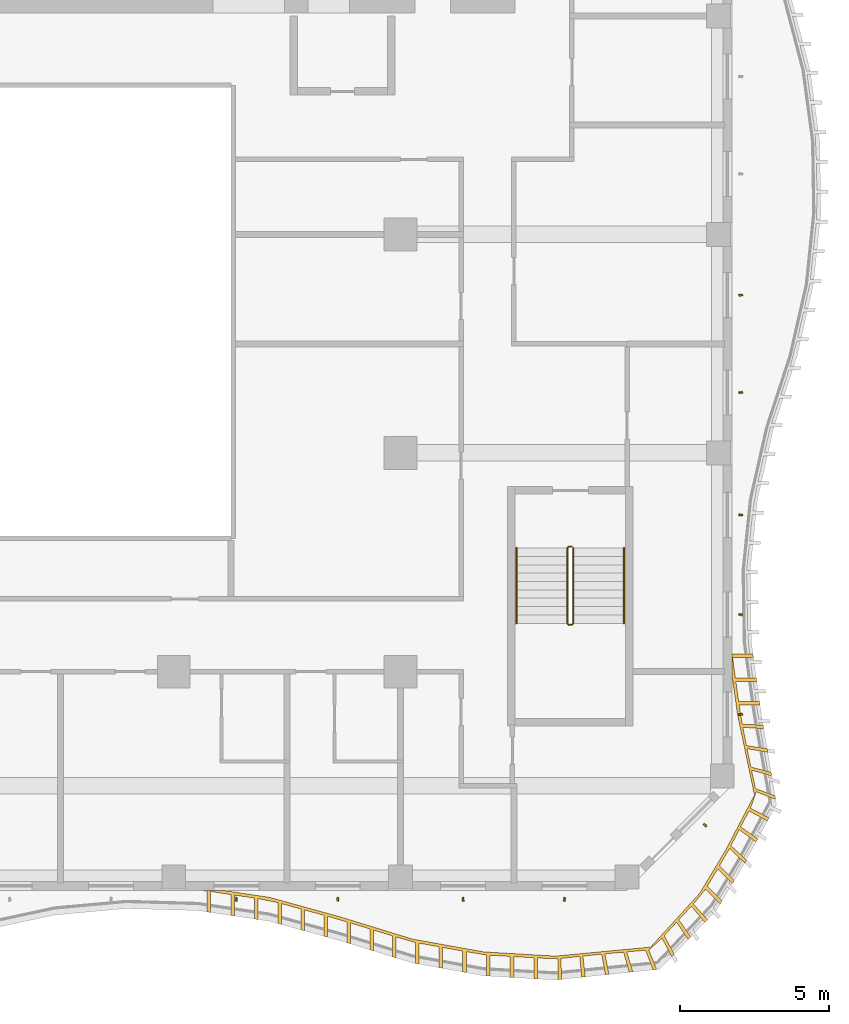
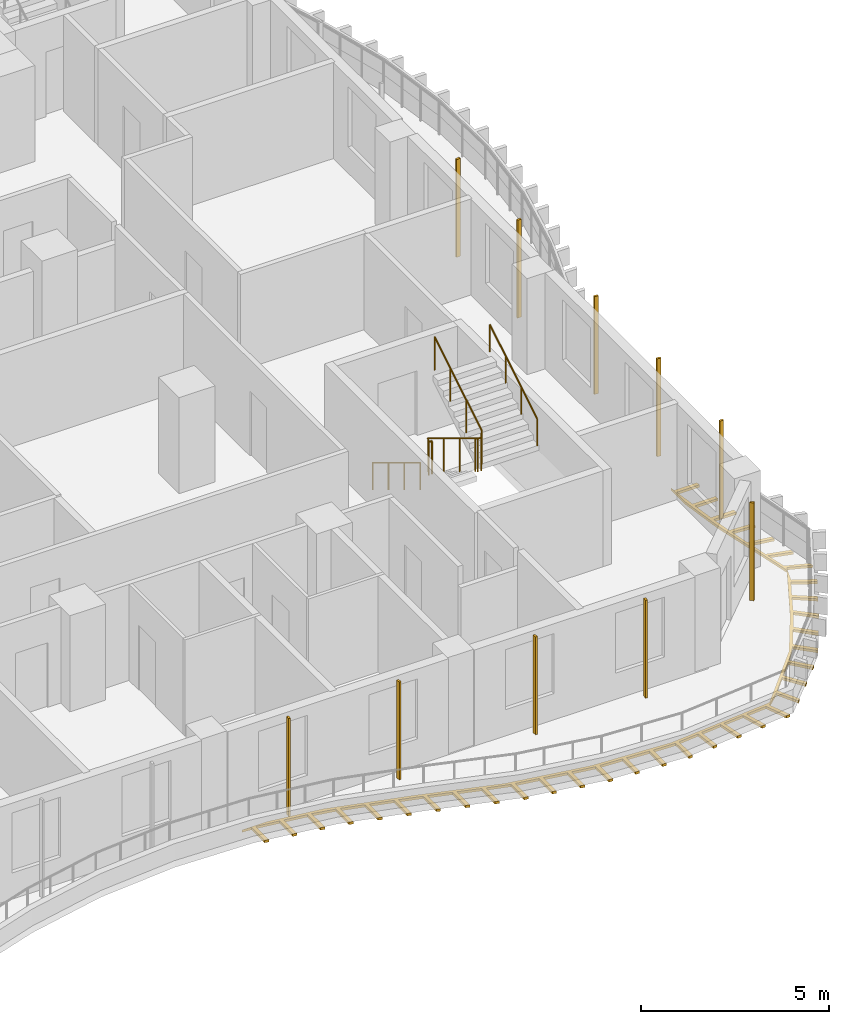
# One storey, part 16 of 20: 11 shading devices, 3 railings.
"""IFC4 building model written with IfcOpenShell, lengths in metres."""

from ifc_helpers import new_model, si_unit, direction, frame, origin, origin_2d, place, context, subcontext, project, spatial, polyline, rectangle, circle, outline, extrude, source, transform, mapped, material, layer, layer_set, material_profile, profile_set, type_object, element, save


model = new_model("IFC4")

# Units and contexts
model_context = context("Model", 3, precision=1e-05, world=origin(), true_north=direction((0.0, 1.0)))
body_context = subcontext(model_context, "Body", "Model", "MODEL_VIEW")
ifc_project = project(units=[si_unit("LENGTHUNIT", "METRE"), si_unit("AREAUNIT", "SQUARE_METRE"), si_unit("VOLUMEUNIT", "CUBIC_METRE"), si_unit("PLANEANGLEUNIT", "RADIAN"), si_unit("MASSUNIT", "GRAM", prefix="KILO")], contexts=[model_context])

# Site, building, storey
site_placement = place(None, origin())
site = spatial("IfcSite", under=ifc_project, at=site_placement, CompositionType="ELEMENT")
building_placement = place(site_placement, origin())
building = spatial("IfcBuilding", under=site, at=building_placement, Name="Kilnfold Tower and Market Hall", CompositionType="ELEMENT")
storey_placement = place(building_placement, frame((0.0, 0.0, 157.5)))
storey = spatial("IfcBuildingStorey", under=building, at=storey_placement, Name="L36", CompositionType="ELEMENT", Elevation=157.5)

# Railings
ifc_material_1 = material(Name="Stainless steel 316", Category="steel")
railing_type_1 = type_object("IfcRailingType", Name="CORE STAIR GUARD 1100", PredefinedType="GUARDRAIL", material=ifc_material_1)
railing_1_placement = place(storey_placement, frame((19.89990234375, -9.75, 0.0)))
element("IfcRailing", 1, at=railing_1_placement, inside=storey, type_object=railing_type_1, Name="L36 ST4 stair guard 1", PredefinedType="GUARDRAIL", context=body_context, shape_type="SweptSolid", body=[
    extrude(circle(Radius=0.02392578125, at=origin_2d()), frame((0.0, 0.0, 1.076171875), z_axis=(-1.0, 0.0, 0.0), x_axis=(0.0, -1.0, 0.0)), (0.0, 0.0, 1.0), 0.099853515625),
    extrude(circle(Radius=0.02392578125, at=origin_2d()), frame((-0.099853515625, 0.0, 1.076171875), z_axis=(-0.271895245746, -0.271895245746, 0.923117517265), x_axis=(0.707106781187, -0.707106781187, 0.0)), (0.0, 0.0, 1.0), 0.18408203125),
    extrude(circle(Radius=0.02392578125, at=origin_2d()), frame((-0.14990234375, -0.050048828125, 1.24609375), z_axis=(0.0, -0.85478489116, 0.518982456201), x_axis=(1.0, 0.0, 0.0)), (0.0, 0.0, 1.0), 2.9482421875),
    extrude(circle(Radius=0.02392578125, at=origin_2d()), frame((-0.14990234375, -2.570068359375, 2.77587890625), z_axis=(0.707106781187, -0.707106781187, 0.0), x_axis=(0.707106781187, 0.707106781187, 0.0)), (0.0, 0.0, 1.0), 0.07080078125),
    extrude(circle(Radius=0.02392578125, at=origin_2d()), frame((-0.099853515625, -2.6201171875, 2.77587890625), z_axis=(1.0, 0.0, 0.0), x_axis=(0.0, 1.0, 0.0)), (0.0, 0.0, 1.0), 0.099853515625),
    extrude(circle(Radius=0.02392578125, at=origin_2d()), frame((0.0, -2.6201171875, 2.77587890625), z_axis=(0.271562723297, 0.271562723297, 0.923313259209), x_axis=(-0.707106781187, 0.707106781187, 0.0)), (0.0, 0.0, 1.0), 0.184326171875),
    extrude(circle(Radius=0.02392578125, at=origin_2d()), frame((0.050048828125, -2.570068359375, 2.9462890625), z_axis=(0.0, 0.854821627497, 0.518921945155), x_axis=(-1.0, 0.0, 0.0)), (0.0, 0.0, 1.0), 2.947998046875),
    extrude(circle(Radius=0.02099609375, at=origin_2d()), origin(), (0.0, 0.0, 1.0), 1.052001953125),
    extrude(circle(Radius=0.02099609375, at=origin_2d()), frame((-0.099853515625, 0.0, 0.0)), (0.0, 0.0, 1.0), 1.052001953125),
    extrude(circle(Radius=0.02099609375, at=origin_2d()), frame((-0.14990234375, -0.050048828125, 0.169921875)), (0.0, 0.0, 1.0), 1.052001953125),
    extrude(circle(Radius=0.02099609375, at=origin_2d()), frame((-0.14990234375, -0.89013671875, 0.679931640625)), (0.0, 0.0, 1.0), 1.052001953125),
    extrude(circle(Radius=0.02099609375, at=origin_2d()), frame((-0.14990234375, -1.72998046875, 1.18994140625)), (0.0, 0.0, 1.0), 1.052001953125),
    extrude(circle(Radius=0.02099609375, at=origin_2d()), frame((-0.14990234375, -2.570068359375, 1.699951171875)), (0.0, 0.0, 1.0), 1.052001953125),
    extrude(circle(Radius=0.02099609375, at=origin_2d()), frame((-0.099853515625, -2.6201171875, 1.699951171875)), (0.0, 0.0, 1.0), 1.052001953125),
    extrude(circle(Radius=0.02099609375, at=origin_2d()), frame((0.0, -2.6201171875, 1.699951171875)), (0.0, 0.0, 1.0), 1.052001953125),
    extrude(circle(Radius=0.02099609375, at=origin_2d()), frame((0.050048828125, -2.570068359375, 1.8701171875)), (0.0, 0.0, 1.0), 1.052001953125),
    extrude(circle(Radius=0.02099609375, at=origin_2d()), frame((0.050048828125, -1.72998046875, 2.380126953125)), (0.0, 0.0, 1.0), 1.052001953125),
    extrude(circle(Radius=0.02099609375, at=origin_2d()), frame((0.050048828125, -0.89013671875, 2.889892578125)), (0.0, 0.0, 1.0), 1.052001953125),
    extrude(circle(Radius=0.02099609375, at=origin_2d()), frame((0.050048828125, -0.050048828125, 3.39990234375)), (0.0, 0.0, 1.0), 1.052001953125),
])
ifc_material_2 = material(Name="Stainless steel 316", Category="steel")
railing_type_2 = type_object("IfcRailingType", Name="CORE STAIR HANDRAIL 900", PredefinedType="HANDRAIL", material=ifc_material_2)
railing_2_placement = place(storey_placement, frame((18.050048828125, -9.800048828125, 0.169921875)))
element("IfcRailing", 2, at=railing_2_placement, inside=storey, type_object=railing_type_2, Name="L36 ST4 stair handrail 1", PredefinedType="HANDRAIL", context=body_context, shape_type="SweptSolid", body=[
    extrude(circle(Radius=0.02392578125, at=origin_2d()), frame((0.0, 0.0, 0.8759765625), z_axis=(0.0, -0.85478489116, 0.518982456201), x_axis=(1.0, 0.0, 0.0)), (0.0, 0.0, 1.0), 2.9482421875),
    extrude(circle(Radius=0.02099609375, at=origin_2d()), origin(), (0.0, 0.0, 1.0), 0.851806640625),
    extrude(circle(Radius=0.02099609375, at=origin_2d()), frame((0.0, -0.840087890625, 0.510009765625)), (0.0, 0.0, 1.0), 0.851806640625),
    extrude(circle(Radius=0.02099609375, at=origin_2d()), frame((0.0, -1.679931640625, 1.02001953125)), (0.0, 0.0, 1.0), 0.851806640625),
    extrude(circle(Radius=0.02099609375, at=origin_2d()), frame((0.0, -2.52001953125, 1.530029296875)), (0.0, 0.0, 1.0), 0.851806640625),
])
railing_3_placement = place(storey_placement, frame((21.64990234375, -12.320068359375, 1.8701171875)))
element("IfcRailing", 3, at=railing_3_placement, inside=storey, type_object=railing_type_2, Name="L36 ST4 stair handrail 2", PredefinedType="HANDRAIL", context=body_context, shape_type="SweptSolid", body=[
    extrude(circle(Radius=0.02392578125, at=origin_2d()), frame((0.0, 0.0, 0.8759765625), z_axis=(0.0, 0.854821627497, 0.518921945155), x_axis=(-1.0, 0.0, 0.0)), (0.0, 0.0, 1.0), 2.947998046875),
    extrude(circle(Radius=0.02099609375, at=origin_2d()), origin(), (0.0, 0.0, 1.0), 0.851806640625),
    extrude(circle(Radius=0.02099609375, at=origin_2d()), frame((0.0, 0.840087890625, 0.510009765625)), (0.0, 0.0, 1.0), 0.851806640625),
    extrude(circle(Radius=0.02099609375, at=origin_2d()), frame((0.0, 1.679931640625, 1.019775390625)), (0.0, 0.0, 1.0), 0.851806640625),
    extrude(circle(Radius=0.02099609375, at=origin_2d()), frame((0.0, 2.52001953125, 1.52978515625)), (0.0, 0.0, 1.0), 0.851806640625),
])

# Shading devices
ifc_material_3 = material(Name="Terracotta", Category="masonry")
ifc_material_profile = material_profile(ifc_material_3, rectangle(XDim=0.06005859375, YDim=0.1201171875, at=origin_2d()), Name="BAG 60x120")
ifc_profile_set = profile_set([ifc_material_profile], Name="Terracotta")
shading_device_type_1 = type_object("IfcShadingDeviceType", Name="BAGUETTE", PredefinedType="USERDEFINED", material=ifc_profile_set)
shared_shape_1 = source(origin(), body_context, "Body", "SweptSolid", [
    extrude(rectangle(XDim=0.06005859375, YDim=0.1201171875, at=origin_2d()), origin(), (0.0, 0.0, 1.0), 3.179931640625),
])
for number, where, z_axis, x_axis, name in (
    (4, (8.67919921875, -21.550048828125, 0.0), (0.0, 0.0, 1.0), (0.996064149053, -0.088635269342, 0.0), "Terracotta baguette L36 S"),
    (5, (12.07080078125, -21.550048828125, 0.0), (0.0, 0.0, 1.0), (0.99466417462, 0.103165787585, 0.0), "Terracotta baguette L36 S"),
    (6, (16.262451171875, -21.550048828125, 0.0), (0.0, 0.0, 1.0), (0.998328326575, 0.057797511697, 0.0), "Terracotta baguette L36 S"),
    (7, (19.654296875, -21.550048828125, 0.0), (0.0, 0.0, 1.0), (0.992306245175, -0.123807575642, 0.0), "Terracotta baguette L36 S"),
    (8, (24.35498046875, -19.0693359375, 0.0), (0.0, 0.0, 1.0), (0.666404952595, 0.745589994002, 0.0), "Terracotta baguette L36 SE"),
    (9, (25.550048828125, -15.364013671875, 0.0), (0.0, 0.0, 1.0), (-0.113744239285, 0.993510064383, 0.0), "Terracotta baguette L36 E"),
    (10, (25.550048828125, -12.0283203125, 0.0), (0.0, 0.0, 1.0), (0.071946579613, 0.997408486871, 0.0), "Terracotta baguette L36 E"),
    (11, (25.550048828125, -8.69287109375, 0.0), (0.0, 0.0, 1.0), (0.124285565967, 0.992246490592, 0.0), "Terracotta baguette L36 E"),
    (12, (25.550048828125, -4.596923828125, 0.0), (0.0, 0.0, 1.0), (-0.09354705895, 0.995614859151, 0.0), "Terracotta baguette L36 E"),
    (13, (25.550048828125, -1.3408203125, 0.0), (0.0, 0.0, 1.0), (-0.112899739238, 0.993606385285, 0.0), "Terracotta baguette L36 E"),
):
    element("IfcShadingDevice", number, at=place(storey_placement, frame(where, z_axis=z_axis, x_axis=x_axis)), inside=storey, type_object=shading_device_type_1, Name=name, ObjectType="BAGUETTE", PredefinedType="USERDEFINED", context=body_context, shape_type="MappedRepresentation", body=[
        mapped(shared_shape_1, transform((0.0, 0.0, 0.0))),
    ])
ifc_material_4 = material(Name="Bronze anodised aluminium", Category="aluminium")
ifc_layer = layer(ifc_material_4, 0.080078125)
ifc_layer_set = layer_set([ifc_layer], Name="Bronze anodised aluminium")
shading_device_type_2 = type_object("IfcShadingDeviceType", Name="BRONZE SLAT SOFFIT 80", PredefinedType="USERDEFINED", material=ifc_layer_set)
shared_shape_2 = source(origin(), body_context, "Body", "SweptSolid", [
    extrude(outline(polyline([(9.7763671875, -21.482421875), (12.171142578125, -22.142578125), (14.56591796875, -22.87939453125), (16.96044921875, -23.310302734375), (19.355224609375, -23.449951171875), (22.5361328125, -23.14794921875), (24.178955078125, -21.345458984375), (25.053466796875, -19.88671875), (26.0087890625, -18.064208984375), (25.43896484375, -15.355224609375), (25.25, -13.982177734375), (25.25, -13.2001953125), (25.2626953125, -13.348876953125), (25.962890625, -13.348876953125), (25.979248046875, -13.4677734375), (25.279296875, -13.4677734375), (25.371826171875, -14.141357421875), (26.072021484375, -14.141357421875), (26.08837890625, -14.26025390625), (25.38818359375, -14.26025390625), (25.48095703125, -14.933837890625), (26.180908203125, -14.933837890625), (26.197509765625, -15.052734375), (25.497314453125, -15.052734375), (25.60205078125, -15.691650390625), (26.30126953125, -15.724609375), (26.3212890625, -15.843017578125), (25.622802734375, -15.79931640625), (25.7421875, -16.40869140625), (26.4345703125, -16.513427734375), (26.454345703125, -16.6318359375), (25.763916015625, -16.516357421875), (25.89013671875, -17.126220703125), (26.567626953125, -17.302490234375), (26.58740234375, -17.420654296875), (25.912841796875, -17.234130859375), (26.044921875, -17.8466796875), (26.70068359375, -18.09130859375), (26.720703125, -18.209716796875), (26.068603515625, -17.955078125), (25.879638671875, -18.503173828125), (26.50146484375, -18.82470703125), (26.4443359375, -18.930419921875), (25.8291015625, -18.59619140625), (25.547119140625, -19.126220703125), (26.1201171875, -19.528076171875), (26.06298828125, -19.633544921875), (25.498046875, -19.220458984375), (25.22412109375, -19.757080078125), (25.739013671875, -20.2314453125), (25.681884765625, -20.3369140625), (25.17626953125, -19.8525390625), (24.842041015625, -20.427978515625), (25.337158203125, -20.923095703125), (25.275390625, -21.02587890625), (24.780517578125, -20.531005859375), (24.4306640625, -21.114013671875), (24.92578125, -21.609130859375), (24.864013671875, -21.7119140625), (24.368896484375, -21.217041015625), (23.97119140625, -21.70849609375), (24.43408203125, -22.23388671875), (24.350830078125, -22.3203125), (23.897216796875, -21.787109375), (23.47998046875, -22.235107421875), (23.879150390625, -22.81005859375), (23.7958984375, -22.896484375), (23.40673828125, -22.314697265625), (22.994140625, -22.769287109375), (23.32421875, -23.386474609375), (23.2412109375, -23.472900390625), (22.92138671875, -22.85009765625), (22.477294921875, -23.248046875), (22.73779296875, -23.89794921875), (22.618408203125, -23.910400390625), (22.36669921875, -23.257080078125), (21.740478515625, -23.310302734375), (21.942138671875, -23.980712890625), (21.82275390625, -23.9931640625), (21.630126953125, -23.3203125), (21.006103515625, -23.377685546875), (21.146484375, -24.0634765625), (21.027099609375, -24.075927734375), (20.89599609375, -23.38818359375), (20.27294921875, -23.45068359375), (20.3505859375, -24.146484375), (20.2314453125, -24.15869140625), (20.1630859375, -23.462158203125), (19.53955078125, -23.529296875), (19.554931640625, -24.229248046875), (19.435791015625, -24.24169921875), (19.429443359375, -23.541748046875), (18.757080078125, -23.51513671875), (18.757080078125, -24.215087890625), (18.63720703125, -24.2080078125), (18.63720703125, -23.508056640625), (17.95849609375, -23.468505859375), (17.95849609375, -24.168701171875), (17.838623046875, -24.16162109375), (17.838623046875, -23.461669921875), (17.159912109375, -23.422119140625), (17.159912109375, -24.1220703125), (17.0400390625, -24.114990234375), (17.0400390625, -23.4150390625), (16.36962890625, -23.30419921875), (16.36962890625, -24.004150390625), (16.25146484375, -23.98291015625), (16.25146484375, -23.28271484375), (15.582275390625, -23.162353515625), (15.582275390625, -23.8623046875), (15.464111328125, -23.841064453125), (15.464111328125, -23.14111328125), (14.794921875, -23.0205078125), (14.794921875, -23.720703125), (14.6767578125, -23.699462890625), (14.6767578125, -22.99951171875), (14.023681640625, -22.8125), (14.023681640625, -23.5126953125), (13.908935546875, -23.477294921875), (13.908935546875, -22.77734375), (13.259033203125, -22.577392578125), (13.259033203125, -23.27734375), (13.144287109375, -23.2421875), (13.144287109375, -22.5419921875), (12.494384765625, -22.342041015625), (12.494384765625, -23.0419921875), (12.3798828125, -23.0068359375), (12.3798828125, -22.306884765625), (11.72607421875, -22.119873046875), (11.72607421875, -22.81982421875), (11.6103515625, -22.7880859375), (11.6103515625, -22.087890625), (10.954833984375, -21.9072265625), (10.954833984375, -22.607421875), (10.839111328125, -22.575439453125), (10.839111328125, -21.87548828125), (10.18359375, -21.694580078125), (10.18359375, -22.394775390625), (10.06787109375, -22.36279296875), (10.06787109375, -21.662841796875), (9.40283203125, -21.527099609375), (9.40283203125, -22.22705078125), (9.2841796875, -22.209228515625), (9.2841796875, -21.50927734375), (8.611572265625, -21.409423828125), (8.611572265625, -22.109619140625), (8.492919921875, -22.091796875), (8.492919921875, -21.391845703125), (7.8203125, -21.2919921875), (7.8203125, -21.991943359375), (7.701416015625, -21.974365234375), (7.701416015625, -21.2744140625), (7.414306640625, -21.25), (8.210693359375, -21.25), (9.7763671875, -21.482421875)])), origin(), (0.0, 0.0, 1.0), 0.080078125),
])
shading_device_placement = place(storey_placement, frame((0.0, 0.0, -0.300048828125)))
element("IfcShadingDevice", 14, at=shading_device_placement, inside=storey, type_object=shading_device_type_2, Name="Balcony soffit slats L36", ObjectType="SLAT", PredefinedType="USERDEFINED", context=body_context, shape_type="MappedRepresentation", body=[
    mapped(shared_shape_2, transform((0.0, 0.0, 0.0))),
])

save(model, "model.ifc")
